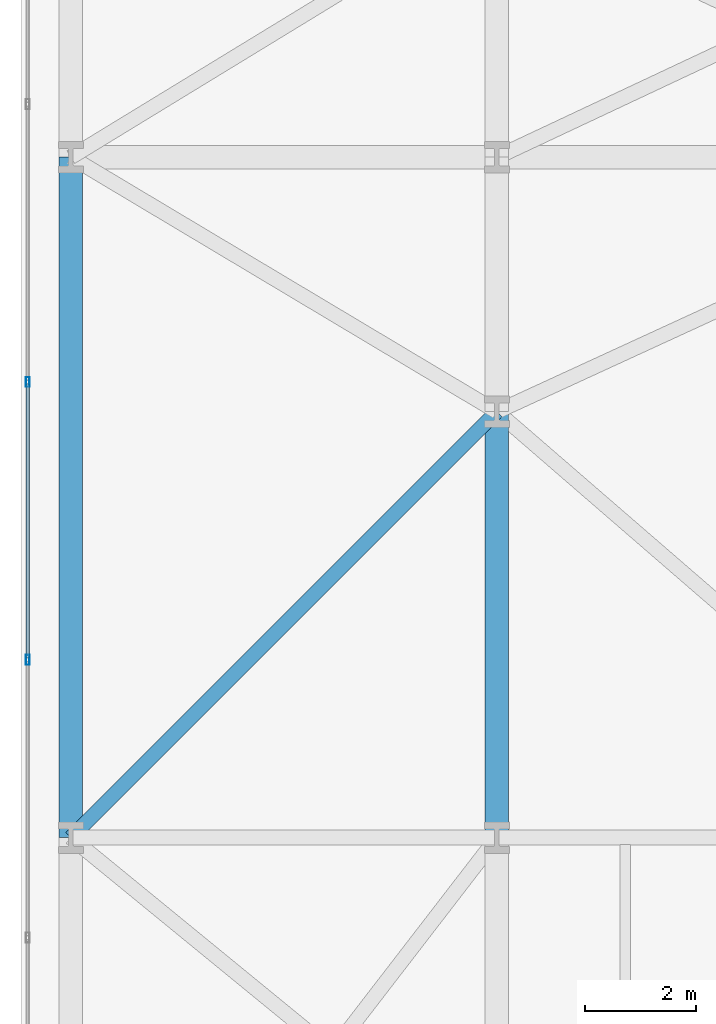
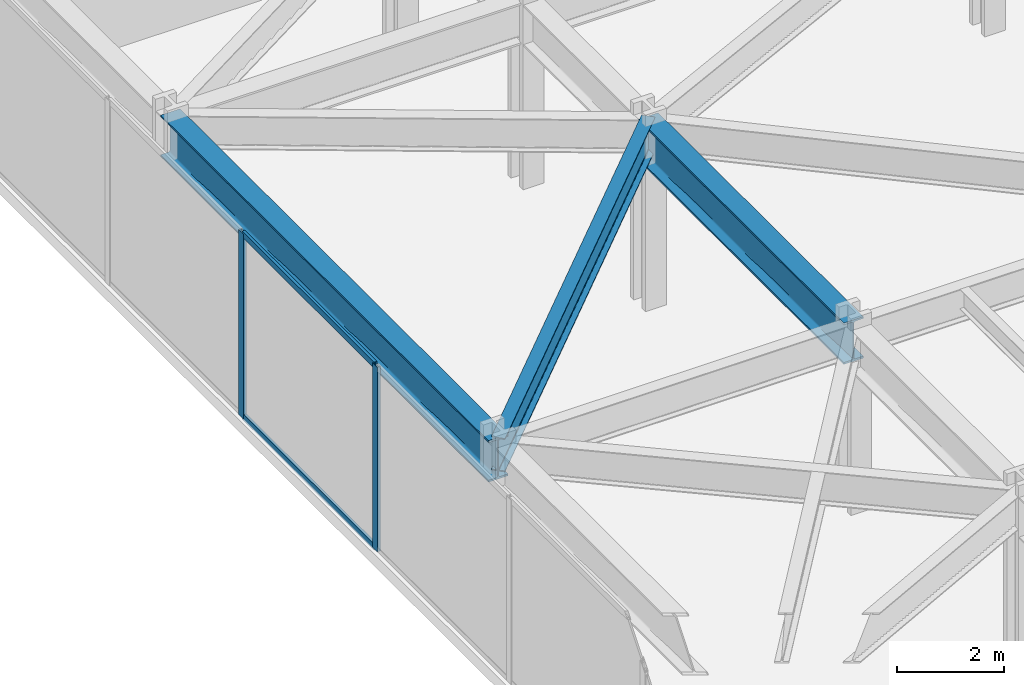
# One storey, part 8 of 28: 4 members, 3 beams, 1 element without a shape of its own.
"""IFC4 building model written with IfcOpenShell, lengths in metres."""

import ifcopenshell
import ifcopenshell.guid

model = None  # the IFC model being written
_history = None  # IfcOwnerHistory: only IFC2X3 demands one
_inside = {}  # id of a spatial element -> (the spatial element, [elements in it])
_under = {}  # id of a project, library or spatial element -> (it, [spatial elements below it])
_declared = {}  # id of a project -> (the project, [libraries it declares])
_typed = {}  # id of a type object -> (the type object, [elements of that type])
_made_of = {}  # id of a material, layer set ... -> (it, [elements and type objects made of it])


def new_model(schema):
    """Start an empty IFC model of exactly this schema.

    Asked for "IFC4X3", IfcOpenShell would pick the latest addendum, in which some entities
    have other attributes; the version numbers below select the first issue.
    IFC2X3 requires an IfcOwnerHistory on every rooted entity: one is made here for all.
    """
    global model, _history
    if schema == "IFC4X3":
        model = ifcopenshell.file(schema_version=(4, 3, 0, 0))
    else:
        model = ifcopenshell.file(schema=schema)
    _inside.clear()
    _under.clear()
    _declared.clear()
    _typed.clear()
    _made_of.clear()
    _history = None
    if model.schema == "IFC2X3":
        org = make("IfcOrganization", Name="unknown")
        user = make(
            "IfcPersonAndOrganization",
            ThePerson=make("IfcPerson", FamilyName="unknown"),
            TheOrganization=org,
        )
        app = make(
            "IfcApplication",
            ApplicationDeveloper=org,
            Version="unknown",
            ApplicationFullName="unknown",
            ApplicationIdentifier="unknown",
        )
        _history = make(
            "IfcOwnerHistory",
            OwningUser=user,
            OwningApplication=app,
            ChangeAction="ADDED",
            CreationDate=0,
        )
    return model


def make(cls, **values):
    """One entity of the class cls with the attributes given. An attribute that is None is left unset."""
    return model.create_entity(
        cls, **{name: value for name, value in values.items() if value is not None}
    )


def rooted(cls, **values):
    """An entity with a GlobalId (a new one), such as an element, a storey or a relation."""
    return make(cls, GlobalId=ifcopenshell.guid.new(), OwnerHistory=_history, **values)


def si_unit(unit_type, name, prefix=None):
    """IfcSIUnit, for example si_unit("LENGTHUNIT", "METRE", prefix="MILLI")."""
    return make("IfcSIUnit", UnitType=unit_type, Prefix=prefix, Name=name)


def assignment(units):
    """IfcUnitAssignment: the units of a project."""
    return None if units is None else make("IfcUnitAssignment", Units=units)


def point(xyz):
    """IfcCartesianPoint."""
    return None if xyz is None else make("IfcCartesianPoint", Coordinates=xyz)


def direction(xyz):
    """IfcDirection."""
    return None if xyz is None else make("IfcDirection", DirectionRatios=xyz)


def frame(location, z_axis=None, x_axis=None):
    """IfcAxis2Placement3D, a coordinate frame: its origin and axes. An axis left out is left unset."""
    return make(
        "IfcAxis2Placement3D",
        Location=point(location),
        Axis=direction(z_axis),
        RefDirection=direction(x_axis),
    )


def frame_2d(location, x_axis=None):
    """IfcAxis2Placement2D, a coordinate frame in the plane: its origin and x axis."""
    return make(
        "IfcAxis2Placement2D", Location=point(location), RefDirection=direction(x_axis)
    )


def origin():
    """The frame at (0, 0, 0) with its axes left unset."""
    return frame((0.0, 0.0, 0.0))


def origin_2d():
    """The frame at (0, 0) in the plane with its x axis left unset."""
    return frame_2d((0.0, 0.0))


def place(relative_to, where):
    """IfcLocalPlacement: puts the frame where relative to a parent placement (None: the world)."""
    return make(
        "IfcLocalPlacement", PlacementRelTo=relative_to, RelativePlacement=where
    )


def context(
    kind, dimensions, precision=None, world=None, true_north=None, identifier=None
):
    """IfcGeometricRepresentationContext, for example the 3D "Model" context."""
    return make(
        "IfcGeometricRepresentationContext",
        ContextIdentifier=identifier,
        ContextType=kind,
        CoordinateSpaceDimension=dimensions,
        Precision=precision,
        WorldCoordinateSystem=world,
        TrueNorth=true_north,
    )


def subcontext(parent, identifier, kind, view, scale=None):
    """IfcGeometricRepresentationSubContext, for example "Body" below "Model"."""
    return make(
        "IfcGeometricRepresentationSubContext",
        ContextIdentifier=identifier,
        ContextType=kind,
        ParentContext=parent,
        TargetScale=scale,
        TargetView=view,
    )


def project(units=None, contexts=None):
    """IfcProject with its units and contexts."""
    return rooted(
        "IfcProject",
        Name="project",
        RepresentationContexts=contexts,
        UnitsInContext=assignment(units),
    )


def spatial(cls, under=None, at=None, **own):
    """A site, building, storey or space (cls), placed at a placement, below another one or the project."""
    s = rooted(cls, ObjectPlacement=at, **own)
    if under is not None:
        _under.setdefault(under.id(), (under, []))[1].append(s)
    return s


def profile(cls, at=None, kind="AREA", **sizes):
    """A parametric profile (cls). Its sizes go by their IFC names, for example OverallWidth=200.0."""
    return make(cls, ProfileType=kind, Position=at, **sizes)


def hollow_rectangle(**sizes):
    """IfcRectangleHollowProfileDef."""
    return profile("IfcRectangleHollowProfileDef", **sizes)


def i_section(**sizes):
    """IfcIShapeProfileDef."""
    return profile("IfcIShapeProfileDef", **sizes)


def extrude(swept, where, along, depth):
    """IfcExtrudedAreaSolid: the profile swept, set in the frame where, extruded along a direction by depth."""
    return make(
        "IfcExtrudedAreaSolid",
        SweptArea=swept,
        Position=where,
        ExtrudedDirection=direction(along),
        Depth=depth,
    )


def shape(context_of_items, identifier, shape_type, items):
    """IfcShapeRepresentation: the items that make up one representation, for example the "Body"."""
    return make(
        "IfcShapeRepresentation",
        ContextOfItems=context_of_items,
        RepresentationIdentifier=identifier,
        RepresentationType=shape_type,
        Items=items,
    )


def material(Name=None, Category=None):
    """IfcMaterial."""
    return make("IfcMaterial", Name=Name, Category=Category)


def layer(
    of_material, thickness, ventilated=None, Name=None, Category=None, Priority=None
):
    """IfcMaterialLayer: one layer of a wall or slab, of a material (None: an air gap)."""
    return make(
        "IfcMaterialLayer",
        Material=of_material,
        LayerThickness=thickness,
        IsVentilated=ventilated,
        Name=Name,
        Category=Category,
        Priority=Priority,
    )


def layer_set(layers, Name=None):
    """IfcMaterialLayerSet."""
    return make("IfcMaterialLayerSet", MaterialLayers=layers, LayerSetName=Name)


def material_profile(
    of_material, cross_section, Name=None, Category=None, Priority=None
):
    """IfcMaterialProfile: a cross section and its material."""
    return make(
        "IfcMaterialProfile",
        Name=Name,
        Material=of_material,
        Profile=cross_section,
        Priority=Priority,
        Category=Category,
    )


def profile_set(profiles, Name=None, composite=None):
    """IfcMaterialProfileSet."""
    return make(
        "IfcMaterialProfileSet",
        Name=Name,
        MaterialProfiles=profiles,
        CompositeProfile=composite,
    )


def made_of(thing, what):
    """Note that an element or type object is made of a material, layer set ...; save() writes the relation."""
    if what is not None:
        _made_of.setdefault(what.id(), (what, []))[1].append(thing)
    return thing


def type_object(cls, material=None, **own):
    """A type object (cls), such as IfcWallType, which elements share."""
    return made_of(rooted(cls, **own), material)


def element(
    cls,
    number,
    at=None,
    inside=None,
    cuts=None,
    type_object=None,
    material=None,
    context=None,
    identifier="Body",
    shape_type=None,
    held_by="IfcProductDefinitionShape",
    body=None,
    shapes=None,
    **own,
):
    """One element of the class cls, such as IfcWall. Its Tag is "e" and its number.

    at: its placement. inside: the storey or other place that contains it. cuts: it is an
    opening in that element (IfcRelVoidsElement). A single representation is given by context,
    identifier, shape_type and body (its items); several are given by shapes. held_by: the class
    of the entity that holds the representations. save() writes the other relations.
    """
    e = rooted(cls, Tag="e%d" % number, ObjectPlacement=at, **own)
    if body is not None:
        shapes = [shape(context, identifier, shape_type, body)]
    if shapes is not None:
        e.Representation = make(held_by, Representations=shapes)
    if inside is not None:
        _inside.setdefault(inside.id(), (inside, []))[1].append(e)
    if cuts is not None:
        rooted(
            "IfcRelVoidsElement", RelatingBuildingElement=cuts, RelatedOpeningElement=e
        )
    if type_object is not None:
        _typed.setdefault(type_object.id(), (type_object, []))[1].append(e)
    return made_of(e, material)


def aggregate(whole, parts):
    """IfcRelAggregates: a whole, such as a stair, and the parts it consists of."""
    return rooted("IfcRelAggregates", RelatingObject=whole, RelatedObjects=parts)


def save(model, path):
    """Write the relations noted so far, then the file.

    IfcRelAggregates (storeys below a building ...), IfcRelContainedInSpatialStructure (elements
    in a storey), IfcRelDefinesByType, IfcRelAssociatesMaterial and IfcRelDeclares: one each for
    every whole, place, type object, material and project.
    """
    for whole, parts in _under.values():
        aggregate(whole, parts)
    for where, things in _inside.values():
        rooted(
            "IfcRelContainedInSpatialStructure",
            RelatedElements=things,
            RelatingStructure=where,
        )
    for kind, things in _typed.values():
        rooted("IfcRelDefinesByType", RelatedObjects=things, RelatingType=kind)
    for what, things in _made_of.values():
        rooted("IfcRelAssociatesMaterial", RelatedObjects=things, RelatingMaterial=what)
    for by, libraries in _declared.values():
        rooted("IfcRelDeclares", RelatingContext=by, RelatedDefinitions=libraries)
    model.write(path)


model = new_model("IFC4")

# Units and contexts
model_context = context("Model", 3, precision=1e-05, world=origin(), true_north=direction((0.0, 1.0)))
body_context = subcontext(model_context, "Body", "Model", "MODEL_VIEW")
ifc_project = project(units=[si_unit("LENGTHUNIT", "METRE"), si_unit("AREAUNIT", "SQUARE_METRE"), si_unit("VOLUMEUNIT", "CUBIC_METRE"), si_unit("PLANEANGLEUNIT", "RADIAN"), si_unit("MASSUNIT", "GRAM", prefix="KILO")], contexts=[model_context])

# Site, building, storey
site_placement = place(None, origin())
site = spatial("IfcSite", under=ifc_project, at=site_placement, CompositionType="ELEMENT")
building_placement = place(site_placement, origin())
building = spatial("IfcBuilding", under=site, at=building_placement, Name="Kravanh Interchange Tower", CompositionType="ELEMENT")
storey_placement = place(building_placement, frame((0.0, 0.0, 15.300048828125)))
storey = spatial("IfcBuildingStorey", under=building, at=storey_placement, Name="L03", CompositionType="ELEMENT", Elevation=15.300048828125)

# Curtain wall, members
ifc_material_1 = material(Name="Anodised Bronze Aluminium", Category="aluminium")
ifc_layer = layer(ifc_material_1, 0.179931640625)
ifc_layer_set = layer_set([ifc_layer], Name="Unitised Curtain Wall System CW-POD Podium Concourse")
curtain_wall_type = type_object("IfcCurtainWallType", Name="Unitised Curtain Wall System CW-POD Podium Concourse", PredefinedType="NOTDEFINED", material=ifc_layer_set)
curtain_wall_placement = place(storey_placement, origin())
curtain_wall = element("IfcCurtainWall", 1, at=curtain_wall_placement, inside=storey, type_object=curtain_wall_type, Name="L03 Unitised Curtain Wall CW-L03-01", PredefinedType="NOTDEFINED")
ifc_material_2 = material(Name="Anodised Bronze Aluminium", Category="aluminium")
ifc_material_profile_1 = material_profile(ifc_material_2, hollow_rectangle(XDim=0.070068359375, YDim=0.179931640625, WallThickness=0.00390625, at=origin_2d()), Name="ALU70X180X4")
ifc_profile_set_1 = profile_set([ifc_material_profile_1], Name="Anodised Bronze Aluminium")
member_type_1 = type_object("IfcMemberType", Name="Curtain Wall Mullion ALU70X180X4 Bronze", PredefinedType="MULLION", material=ifc_profile_set_1)
member_1_placement = place(storey_placement, frame((0.1201171875, 17.714111328125, 0.0), z_axis=(0.0, 0.0, 1.0), x_axis=(-1.0, 0.0, 0.0)))
member_1 = element("IfcMember", 2, at=member_1_placement, type_object=member_type_1, Name="CW-POD mullion 4", PredefinedType="MULLION", context=body_context, shape_type="SweptSolid", body=[
    extrude(hollow_rectangle(XDim=0.070068359375, YDim=0.179931640625, WallThickness=0.00390625, at=origin_2d()), origin(), (0.0, 0.0, 1.0), 4.22998046875),
])
member_2_placement = place(storey_placement, frame((0.1201171875, 22.735595703125, 0.0), z_axis=(0.0, 0.0, 1.0), x_axis=(-1.0, 0.0, 0.0)))
member_2 = element("IfcMember", 3, at=member_2_placement, type_object=member_type_1, Name="CW-POD mullion 5", PredefinedType="MULLION", context=body_context, shape_type="SweptSolid", body=[
    extrude(hollow_rectangle(XDim=0.070068359375, YDim=0.179931640625, WallThickness=0.00390625, at=origin_2d()), origin(), (0.0, 0.0, 1.0), 4.22998046875),
])
ifc_material_3 = material(Name="Anodised Bronze Aluminium", Category="aluminium")
ifc_material_profile_2 = material_profile(ifc_material_3, hollow_rectangle(XDim=0.06005859375, YDim=0.139892578125, WallThickness=0.00390625, at=origin_2d()), Name="ALU60X140X4")
ifc_profile_set_2 = profile_set([ifc_material_profile_2], Name="Anodised Bronze Aluminium")
member_type_2 = type_object("IfcMemberType", Name="Curtain Wall Transom ALU60X140X4 Bronze", PredefinedType="USERDEFINED", material=ifc_profile_set_2)
member_3_placement = place(storey_placement, frame((0.1201171875, 17.7490234375, 0.030029296875), z_axis=(0.0, 1.0, 0.0), x_axis=(-1.0, 0.0, 0.0)))
member_3 = element("IfcMember", 4, at=member_3_placement, type_object=member_type_2, Name="CW-POD transom 4.1", ObjectType="TRANSOM", PredefinedType="USERDEFINED", context=body_context, shape_type="SweptSolid", body=[
    extrude(hollow_rectangle(XDim=0.06005859375, YDim=0.139892578125, WallThickness=0.00390625, at=origin_2d()), origin(), (0.0, 0.0, 1.0), 4.95166015625),
])
member_4_placement = place(storey_placement, frame((0.1201171875, 17.7490234375, 4.199951171875), z_axis=(0.0, 1.0, 0.0), x_axis=(-1.0, 0.0, 0.0)))
member_4 = element("IfcMember", 5, at=member_4_placement, type_object=member_type_2, Name="CW-POD transom 4.2", ObjectType="TRANSOM", PredefinedType="USERDEFINED", context=body_context, shape_type="SweptSolid", body=[
    extrude(hollow_rectangle(XDim=0.06005859375, YDim=0.139892578125, WallThickness=0.00390625, at=origin_2d()), origin(), (0.0, 0.0, 1.0), 4.95166015625),
])
aggregate(curtain_wall, [member_1, member_2, member_3, member_4])

# Beams
ifc_material_4 = material(Name="Structural Steel S450", Category="steel")
ifc_material_profile_3 = material_profile(ifc_material_4, i_section(OverallWidth=0.423095703125, OverallDepth=0.947998046875, WebThickness=0.02392578125, FlangeThickness=0.042724609375, FilletRadius=0.028076171875, at=origin_2d()), Name="W36X302")
ifc_profile_set_3 = profile_set([ifc_material_profile_3], Name="Structural Steel S450")
beam_type_1 = type_object("IfcBeamType", Name="Floor Beam W36X302 Structural Steel S450", PredefinedType="BEAM", material=ifc_profile_set_3)
beam_1_placement = place(storey_placement, frame((8.60009765625, 14.5, 3.755859375), z_axis=(0.0, 1.0, 0.0), x_axis=(-1.0, 0.0, 0.0)))
element("IfcBeam", 6, at=beam_1_placement, inside=storey, type_object=beam_type_1, Name="L03 Primary Floor Girder 37", PredefinedType="BEAM", context=body_context, shape_type="SweptSolid", body=[
    extrude(i_section(OverallWidth=0.423095703125, OverallDepth=0.947998046875, WebThickness=0.02392578125, FlangeThickness=0.042724609375, FilletRadius=0.028076171875, at=origin_2d()), origin(), (0.0, 0.0, 1.0), 7.699951171875),
])
beam_2_placement = place(storey_placement, frame((0.89990234375, 14.5, 3.755859375), z_axis=(0.0, 1.0, 0.0), x_axis=(-1.0, 0.0, 0.0)))
element("IfcBeam", 7, at=beam_2_placement, inside=storey, type_object=beam_type_1, Name="L03 Primary Floor Girder 123", PredefinedType="BEAM", context=body_context, shape_type="SweptSolid", body=[
    extrude(i_section(OverallWidth=0.423095703125, OverallDepth=0.947998046875, WebThickness=0.02392578125, FlangeThickness=0.042724609375, FilletRadius=0.028076171875, at=origin_2d()), origin(), (0.0, 0.0, 1.0), 12.300048828125),
])
ifc_material_5 = material(Name="Structural Steel S355", Category="steel")
ifc_material_profile_4 = material_profile(ifc_material_5, i_section(OverallWidth=0.26708984375, OverallDepth=0.761962890625, WebThickness=0.014404296875, FlangeThickness=0.021484375, FilletRadius=0.02490234375, at=origin_2d()), Name="W30X116")
ifc_profile_set_4 = profile_set([ifc_material_profile_4], Name="Structural Steel S355")
beam_type_2 = type_object("IfcBeamType", Name="Floor Spandrel W30X116 Structural Steel S355", PredefinedType="SPANDREL", material=ifc_profile_set_4)
beam_3_placement = place(storey_placement, frame((8.60009765625, 22.199951171875, 3.848876953125), z_axis=(-0.707117990958, -0.707095571237, 0.0), x_axis=(0.707095571237, -0.707117990958, 0.0)))
element("IfcBeam", 8, at=beam_3_placement, inside=storey, type_object=beam_type_2, Name="L03 Perimeter Spandrel 59", PredefinedType="SPANDREL", context=body_context, shape_type="SweptSolid", body=[
    extrude(i_section(OverallWidth=0.26708984375, OverallDepth=0.761962890625, WebThickness=0.014404296875, FlangeThickness=0.021484375, FilletRadius=0.02490234375, at=origin_2d()), origin(), (0.0, 0.0, 1.0), 10.8896484375),
])

save(model, "model.ifc")
